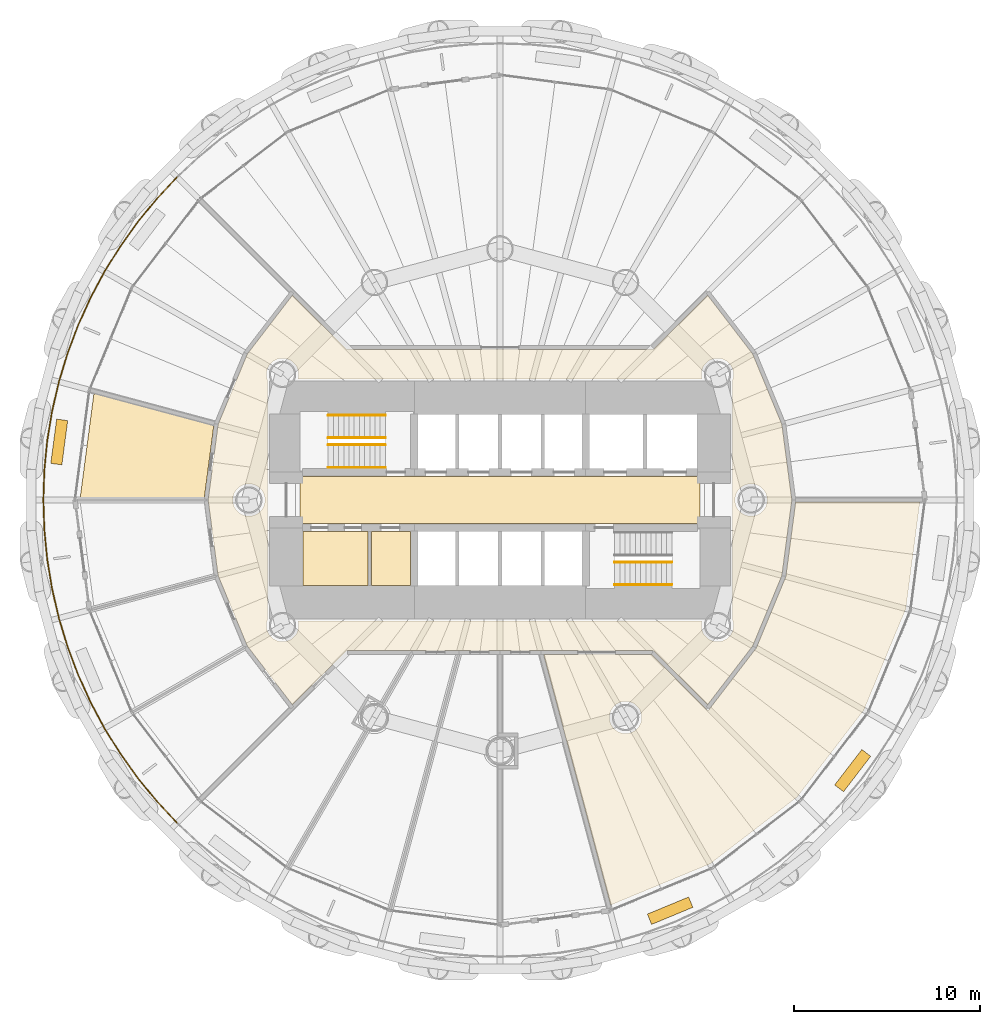
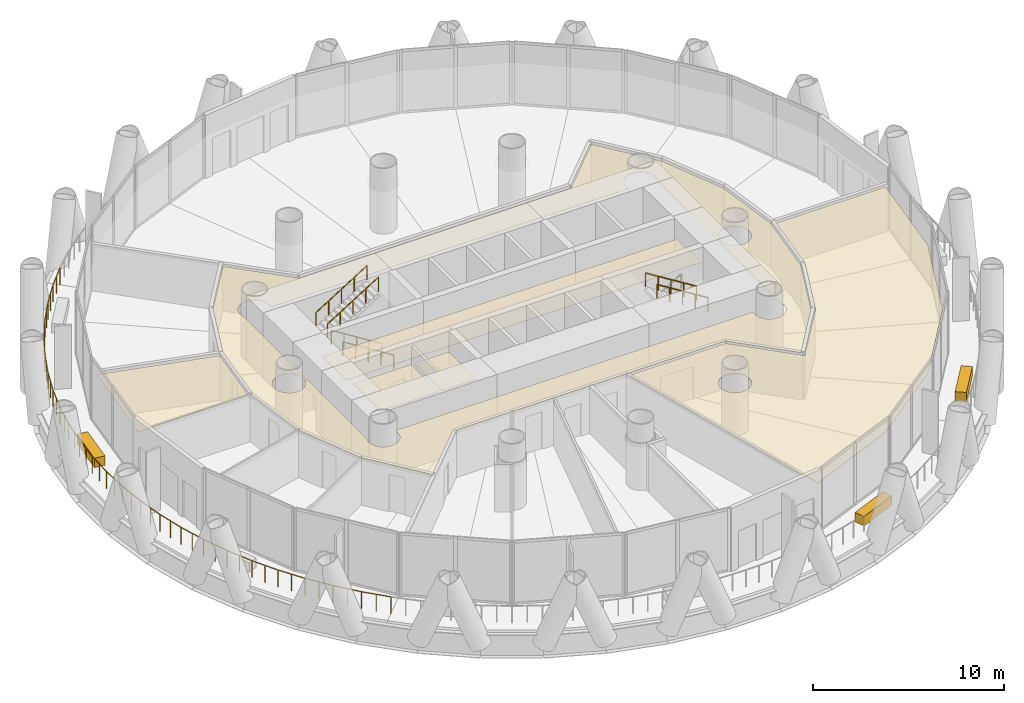
# One storey, part 14 of 16: 9 coverings, 7 railings.
"""IFC4 building model written with IfcOpenShell, lengths in metres."""

import ifcopenshell
import ifcopenshell.guid

model = None  # the IFC model being written
_history = None  # IfcOwnerHistory: only IFC2X3 demands one
_inside = {}  # id of a spatial element -> (the spatial element, [elements in it])
_under = {}  # id of a project, library or spatial element -> (it, [spatial elements below it])
_declared = {}  # id of a project -> (the project, [libraries it declares])
_typed = {}  # id of a type object -> (the type object, [elements of that type])
_made_of = {}  # id of a material, layer set ... -> (it, [elements and type objects made of it])


def new_model(schema):
    """Start an empty IFC model of exactly this schema.

    Asked for "IFC4X3", IfcOpenShell would pick the latest addendum, in which some entities
    have other attributes; the version numbers below select the first issue.
    IFC2X3 requires an IfcOwnerHistory on every rooted entity: one is made here for all.
    """
    global model, _history
    if schema == "IFC4X3":
        model = ifcopenshell.file(schema_version=(4, 3, 0, 0))
    else:
        model = ifcopenshell.file(schema=schema)
    _inside.clear()
    _under.clear()
    _declared.clear()
    _typed.clear()
    _made_of.clear()
    _history = None
    if model.schema == "IFC2X3":
        org = make("IfcOrganization", Name="unknown")
        user = make(
            "IfcPersonAndOrganization",
            ThePerson=make("IfcPerson", FamilyName="unknown"),
            TheOrganization=org,
        )
        app = make(
            "IfcApplication",
            ApplicationDeveloper=org,
            Version="unknown",
            ApplicationFullName="unknown",
            ApplicationIdentifier="unknown",
        )
        _history = make(
            "IfcOwnerHistory",
            OwningUser=user,
            OwningApplication=app,
            ChangeAction="ADDED",
            CreationDate=0,
        )
    return model


def make(cls, **values):
    """One entity of the class cls with the attributes given. An attribute that is None is left unset."""
    return model.create_entity(
        cls, **{name: value for name, value in values.items() if value is not None}
    )


def rooted(cls, **values):
    """An entity with a GlobalId (a new one), such as an element, a storey or a relation."""
    return make(cls, GlobalId=ifcopenshell.guid.new(), OwnerHistory=_history, **values)


def si_unit(unit_type, name, prefix=None):
    """IfcSIUnit, for example si_unit("LENGTHUNIT", "METRE", prefix="MILLI")."""
    return make("IfcSIUnit", UnitType=unit_type, Prefix=prefix, Name=name)


def assignment(units):
    """IfcUnitAssignment: the units of a project."""
    return None if units is None else make("IfcUnitAssignment", Units=units)


def point(xyz):
    """IfcCartesianPoint."""
    return None if xyz is None else make("IfcCartesianPoint", Coordinates=xyz)


def direction(xyz):
    """IfcDirection."""
    return None if xyz is None else make("IfcDirection", DirectionRatios=xyz)


def frame(location, z_axis=None, x_axis=None):
    """IfcAxis2Placement3D, a coordinate frame: its origin and axes. An axis left out is left unset."""
    return make(
        "IfcAxis2Placement3D",
        Location=point(location),
        Axis=direction(z_axis),
        RefDirection=direction(x_axis),
    )


def frame_2d(location, x_axis=None):
    """IfcAxis2Placement2D, a coordinate frame in the plane: its origin and x axis."""
    return make(
        "IfcAxis2Placement2D", Location=point(location), RefDirection=direction(x_axis)
    )


def origin():
    """The frame at (0, 0, 0) with its axes left unset."""
    return frame((0.0, 0.0, 0.0))


def origin_2d():
    """The frame at (0, 0) in the plane with its x axis left unset."""
    return frame_2d((0.0, 0.0))


def place(relative_to, where):
    """IfcLocalPlacement: puts the frame where relative to a parent placement (None: the world)."""
    return make(
        "IfcLocalPlacement", PlacementRelTo=relative_to, RelativePlacement=where
    )


def context(
    kind, dimensions, precision=None, world=None, true_north=None, identifier=None
):
    """IfcGeometricRepresentationContext, for example the 3D "Model" context."""
    return make(
        "IfcGeometricRepresentationContext",
        ContextIdentifier=identifier,
        ContextType=kind,
        CoordinateSpaceDimension=dimensions,
        Precision=precision,
        WorldCoordinateSystem=world,
        TrueNorth=true_north,
    )


def subcontext(parent, identifier, kind, view, scale=None):
    """IfcGeometricRepresentationSubContext, for example "Body" below "Model"."""
    return make(
        "IfcGeometricRepresentationSubContext",
        ContextIdentifier=identifier,
        ContextType=kind,
        ParentContext=parent,
        TargetScale=scale,
        TargetView=view,
    )


def project(units=None, contexts=None):
    """IfcProject with its units and contexts."""
    return rooted(
        "IfcProject",
        Name="project",
        RepresentationContexts=contexts,
        UnitsInContext=assignment(units),
    )


def spatial(cls, under=None, at=None, **own):
    """A site, building, storey or space (cls), placed at a placement, below another one or the project."""
    s = rooted(cls, ObjectPlacement=at, **own)
    if under is not None:
        _under.setdefault(under.id(), (under, []))[1].append(s)
    return s


def polyline(points):
    """IfcPolyline through the points."""
    return make("IfcPolyline", Points=[point(p) for p in points])


def profile(cls, at=None, kind="AREA", **sizes):
    """A parametric profile (cls). Its sizes go by their IFC names, for example OverallWidth=200.0."""
    return make(cls, ProfileType=kind, Position=at, **sizes)


def rectangle(**sizes):
    """IfcRectangleProfileDef."""
    return profile("IfcRectangleProfileDef", **sizes)


def circle(**sizes):
    """IfcCircleProfileDef."""
    return profile("IfcCircleProfileDef", **sizes)


def outline(outer, holes=None, kind="AREA"):
    """IfcArbitraryClosedProfileDef: a profile drawn as a closed curve; with holes, ...WithVoids."""
    if holes is None:
        return make("IfcArbitraryClosedProfileDef", ProfileType=kind, OuterCurve=outer)
    return make(
        "IfcArbitraryProfileDefWithVoids",
        ProfileType=kind,
        OuterCurve=outer,
        InnerCurves=holes,
    )


def extrude(swept, where, along, depth):
    """IfcExtrudedAreaSolid: the profile swept, set in the frame where, extruded along a direction by depth."""
    return make(
        "IfcExtrudedAreaSolid",
        SweptArea=swept,
        Position=where,
        ExtrudedDirection=direction(along),
        Depth=depth,
    )


def shape(context_of_items, identifier, shape_type, items):
    """IfcShapeRepresentation: the items that make up one representation, for example the "Body"."""
    return make(
        "IfcShapeRepresentation",
        ContextOfItems=context_of_items,
        RepresentationIdentifier=identifier,
        RepresentationType=shape_type,
        Items=items,
    )


def material(Name=None, Category=None):
    """IfcMaterial."""
    return make("IfcMaterial", Name=Name, Category=Category)


def layer(
    of_material, thickness, ventilated=None, Name=None, Category=None, Priority=None
):
    """IfcMaterialLayer: one layer of a wall or slab, of a material (None: an air gap)."""
    return make(
        "IfcMaterialLayer",
        Material=of_material,
        LayerThickness=thickness,
        IsVentilated=ventilated,
        Name=Name,
        Category=Category,
        Priority=Priority,
    )


def layer_set(layers, Name=None):
    """IfcMaterialLayerSet."""
    return make("IfcMaterialLayerSet", MaterialLayers=layers, LayerSetName=Name)


def made_of(thing, what):
    """Note that an element or type object is made of a material, layer set ...; save() writes the relation."""
    if what is not None:
        _made_of.setdefault(what.id(), (what, []))[1].append(thing)
    return thing


def type_object(cls, material=None, **own):
    """A type object (cls), such as IfcWallType, which elements share."""
    return made_of(rooted(cls, **own), material)


def element(
    cls,
    number,
    at=None,
    inside=None,
    cuts=None,
    type_object=None,
    material=None,
    context=None,
    identifier="Body",
    shape_type=None,
    held_by="IfcProductDefinitionShape",
    body=None,
    shapes=None,
    **own,
):
    """One element of the class cls, such as IfcWall. Its Tag is "e" and its number.

    at: its placement. inside: the storey or other place that contains it. cuts: it is an
    opening in that element (IfcRelVoidsElement). A single representation is given by context,
    identifier, shape_type and body (its items); several are given by shapes. held_by: the class
    of the entity that holds the representations. save() writes the other relations.
    """
    e = rooted(cls, Tag="e%d" % number, ObjectPlacement=at, **own)
    if body is not None:
        shapes = [shape(context, identifier, shape_type, body)]
    if shapes is not None:
        e.Representation = make(held_by, Representations=shapes)
    if inside is not None:
        _inside.setdefault(inside.id(), (inside, []))[1].append(e)
    if cuts is not None:
        rooted(
            "IfcRelVoidsElement", RelatingBuildingElement=cuts, RelatedOpeningElement=e
        )
    if type_object is not None:
        _typed.setdefault(type_object.id(), (type_object, []))[1].append(e)
    return made_of(e, material)


def aggregate(whole, parts):
    """IfcRelAggregates: a whole, such as a stair, and the parts it consists of."""
    return rooted("IfcRelAggregates", RelatingObject=whole, RelatedObjects=parts)


def save(model, path):
    """Write the relations noted so far, then the file.

    IfcRelAggregates (storeys below a building ...), IfcRelContainedInSpatialStructure (elements
    in a storey), IfcRelDefinesByType, IfcRelAssociatesMaterial and IfcRelDeclares: one each for
    every whole, place, type object, material and project.
    """
    for whole, parts in _under.values():
        aggregate(whole, parts)
    for where, things in _inside.values():
        rooted(
            "IfcRelContainedInSpatialStructure",
            RelatedElements=things,
            RelatingStructure=where,
        )
    for kind, things in _typed.values():
        rooted("IfcRelDefinesByType", RelatedObjects=things, RelatingType=kind)
    for what, things in _made_of.values():
        rooted("IfcRelAssociatesMaterial", RelatedObjects=things, RelatingMaterial=what)
    for by, libraries in _declared.values():
        rooted("IfcRelDeclares", RelatingContext=by, RelatedDefinitions=libraries)
    model.write(path)


model = new_model("IFC4")

# Units and contexts
model_context = context("Model", 3, precision=1e-05, world=origin(), true_north=direction((0.0, 1.0)))
body_context = subcontext(model_context, "Body", "Model", "MODEL_VIEW")
ifc_project = project(units=[si_unit("LENGTHUNIT", "METRE"), si_unit("AREAUNIT", "SQUARE_METRE"), si_unit("VOLUMEUNIT", "CUBIC_METRE"), si_unit("PLANEANGLEUNIT", "RADIAN"), si_unit("MASSUNIT", "GRAM", prefix="KILO")], contexts=[model_context])

# Site, building, storey
site_placement = place(None, origin())
site = spatial("IfcSite", under=ifc_project, at=site_placement, CompositionType="ELEMENT")
building_placement = place(site_placement, origin())
building = spatial("IfcBuilding", under=site, at=building_placement, Name="Qaws Media Tower", CompositionType="ELEMENT")
storey_placement = place(building_placement, frame((0.0, 0.0, 63.800048828125)))
storey = spatial("IfcBuildingStorey", under=building, at=storey_placement, Name="L13", CompositionType="ELEMENT", Elevation=63.800048828125)

# Covering
ifc_material_1 = material(Name="40 perforated acoustic panels with mineral wool backing, suspended", Category="mineral fibre")
ifc_layer_1 = layer(ifc_material_1, 0.0400390625)
ifc_layer_set_1 = layer_set([ifc_layer_1], Name="Acoustic panel ceiling 40")
covering_type_1 = type_object("IfcCoveringType", Name="Acoustic panel ceiling 40", PredefinedType="CEILING", material=ifc_layer_set_1)
covering_1_placement = place(storey_placement, frame((0.0, 0.0, 2.849853515625)))
element("IfcCovering", 1, at=covering_1_placement, inside=storey, type_object=covering_type_1, Name="CL3 ceiling L13-12 Newsroom", PredefinedType="CEILING", context=body_context, shape_type="SweptSolid", body=[
    extrude(outline(polyline([(81.815673828125, 44.154541015625), (79.559326171875, 38.70751953125), (75.97021484375, 34.02978515625), (71.29248046875, 30.440673828125), (65.9501953125, 28.227783203125), (62.34375, 41.6875), (68.1533203125, 41.6875), (71.183349609375, 38.657470703125), (73.781494140625, 42.043212890625), (75.37109375, 45.88134765625), (75.898681640625, 49.887451171875), (82.5703125, 49.887451171875), (81.815673828125, 44.154541015625)]), holes=[polyline([(67.5546875, 37.975341796875), (67.59130859375, 38.083251953125), (67.613525390625, 38.195068359375), (67.62109375, 38.30859375), (67.613525390625, 38.42236328125), (67.59130859375, 38.5341796875), (67.5546875, 38.64208984375), (67.50439453125, 38.744140625), (67.44091796875, 38.8388671875), (67.365966796875, 38.924560546875), (67.2802734375, 38.999755859375), (67.185546875, 39.06298828125), (67.083251953125, 39.11328125), (66.975341796875, 39.14990234375), (66.86376953125, 39.172119140625), (66.75, 39.1796875), (66.63623046875, 39.172119140625), (66.524658203125, 39.14990234375), (66.416748046875, 39.11328125), (66.314453125, 39.06298828125), (66.2197265625, 38.999755859375), (66.134033203125, 38.924560546875), (66.05908203125, 38.8388671875), (65.99560546875, 38.744140625), (65.9453125, 38.64208984375), (65.90869140625, 38.5341796875), (65.886474609375, 38.42236328125), (65.87890625, 38.30859375), (65.886474609375, 38.195068359375), (65.90869140625, 38.083251953125), (65.9453125, 37.975341796875), (65.99560546875, 37.873291015625), (66.05908203125, 37.7783203125), (66.134033203125, 37.69287109375), (66.2197265625, 37.61767578125), (66.314453125, 37.55419921875), (66.416748046875, 37.50390625), (66.524658203125, 37.46728515625), (66.63623046875, 37.445068359375), (66.75, 37.437744140625), (66.86376953125, 37.445068359375), (66.975341796875, 37.46728515625), (67.083251953125, 37.50390625), (67.185546875, 37.55419921875), (67.2802734375, 37.61767578125), (67.365966796875, 37.69287109375), (67.44091796875, 37.7783203125), (67.50439453125, 37.873291015625), (67.5546875, 37.975341796875)])]), origin(), (0.0, 0.0, 1.0), 0.0400390625),
])

# Railing
ifc_material_2 = material(Name="Stainless steel and glass guard", Category="steel")
railing_type_1 = type_object("IfcRailingType", Name="Balcony guard 1100", PredefinedType="GUARDRAIL", material=ifc_material_2)
railing_placement = place(storey_placement, frame((42.640625, 67.359375, 0.0)))
element("IfcRailing", 2, at=railing_placement, inside=storey, type_object=railing_type_1, Name="GR1 balcony guard L13-2", PredefinedType="GUARDRAIL", context=body_context, shape_type="SweptSolid", body=[
    extrude(circle(Radius=0.02392578125, at=origin_2d()), frame((0.0, 0.0, 1.076171875), z_axis=(-0.683708559442, -0.729755168358, 0.0), x_axis=(0.729755168358, -0.683708559442, 0.0)), (0.0, 0.0, 1.0), 1.6064453125),
    extrude(circle(Radius=0.02392578125, at=origin_2d()), frame((-1.098388671875, -1.17236328125, 1.076171875), z_axis=(-0.634321269282, -0.773069548835, 0.0), x_axis=(0.773069548835, -0.634321269282, 0.0)), (0.0, 0.0, 1.0), 1.6064453125),
    extrude(circle(Radius=0.02392578125, at=origin_2d()), frame((-2.117431640625, -2.414306640625, 1.076171875), z_axis=(-0.582473761618, -0.812849504538, 0.0), x_axis=(0.812849504538, -0.582473761618, 0.0)), (0.0, 0.0, 1.0), 1.606689453125),
    extrude(circle(Radius=0.02392578125, at=origin_2d()), frame((-3.05322265625, -3.72021484375, 1.076171875), z_axis=(-0.528085199, -0.849191393384, 0.0), x_axis=(0.849191393384, -0.528085199, 0.0)), (0.0, 0.0, 1.0), 1.6064453125),
    extrude(circle(Radius=0.02392578125, at=origin_2d()), frame((-3.901611328125, -5.08447265625, 1.076171875), z_axis=(-0.471424145356, -0.881906613636, 0.0), x_axis=(0.881906613636, -0.471424145356, 0.0)), (0.0, 0.0, 1.0), 1.6064453125),
    extrude(circle(Radius=0.02392578125, at=origin_2d()), frame((-4.658935546875, -6.501220703125, 1.076171875), z_axis=(-0.412600349797, -0.910912153474, 0.0), x_axis=(0.910912153474, -0.412600349797, 0.0)), (0.0, 0.0, 1.0), 1.6064453125),
    extrude(circle(Radius=0.02392578125, at=origin_2d()), frame((-5.32177734375, -7.964599609375, 1.076171875), z_axis=(-0.352289041388, -0.935891249728, 0.0), x_axis=(0.935891249728, -0.352289041388, 0.0)), (0.0, 0.0, 1.0), 1.6064453125),
    extrude(circle(Radius=0.02392578125, at=origin_2d()), frame((-5.8876953125, -9.468017578125, 1.076171875), z_axis=(-0.290260453496, -0.956947683594, 0.0), x_axis=(0.956947683594, -0.290260453496, 0.0)), (0.0, 0.0, 1.0), 1.6064453125),
    extrude(circle(Radius=0.02392578125, at=origin_2d()), frame((-6.35400390625, -11.00537109375, 1.076171875), z_axis=(-0.227200790134, -0.973847935236, 0.0), x_axis=(0.973847935236, -0.227200790134, 0.0)), (0.0, 0.0, 1.0), 1.6064453125),
    extrude(circle(Radius=0.02392578125, at=origin_2d()), frame((-6.718994140625, -12.56982421875, 1.076171875), z_axis=(-0.162895674781, -0.986643298836, 0.0), x_axis=(0.986643298836, -0.162895674781, 0.0)), (0.0, 0.0, 1.0), 1.606689453125),
    extrude(circle(Radius=0.02392578125, at=origin_2d()), frame((-6.980712890625, -14.155029296875, 1.076171875), z_axis=(-0.098028924866, -0.995183565926, 0.0), x_axis=(0.995183565926, -0.098028924866, 0.0)), (0.0, 0.0, 1.0), 1.6064453125),
    extrude(circle(Radius=0.02392578125, at=origin_2d()), frame((-7.13818359375, -15.753662109375, 1.076171875), z_axis=(-0.032672223792, -0.999466120383, 0.0), x_axis=(0.999466120383, -0.032672223792, 0.0)), (0.0, 0.0, 1.0), 1.606689453125),
    extrude(circle(Radius=0.02392578125, at=origin_2d()), frame((-7.190673828125, -17.359375, 1.076171875), z_axis=(0.032672223792, -0.999466120383, 0.0), x_axis=(0.999466120383, 0.032672223792, 0.0)), (0.0, 0.0, 1.0), 1.606689453125),
    extrude(circle(Radius=0.02392578125, at=origin_2d()), frame((-7.13818359375, -18.965087890625, 1.076171875), z_axis=(0.098028924866, -0.995183565926, 0.0), x_axis=(0.995183565926, 0.098028924866, 0.0)), (0.0, 0.0, 1.0), 1.6064453125),
    extrude(circle(Radius=0.02392578125, at=origin_2d()), frame((-6.980712890625, -20.563720703125, 1.076171875), z_axis=(0.162895674781, -0.986643298836, 0.0), x_axis=(0.986643298836, 0.162895674781, 0.0)), (0.0, 0.0, 1.0), 1.606689453125),
    extrude(circle(Radius=0.02392578125, at=origin_2d()), frame((-6.718994140625, -22.14892578125, 1.076171875), z_axis=(0.227200790134, -0.973847935236, 0.0), x_axis=(0.973847935236, 0.227200790134, 0.0)), (0.0, 0.0, 1.0), 1.6064453125),
    extrude(circle(Radius=0.02392578125, at=origin_2d()), frame((-6.35400390625, -23.71337890625, 1.076171875), z_axis=(0.290260453496, -0.956947683594, 0.0), x_axis=(0.956947683594, 0.290260453496, 0.0)), (0.0, 0.0, 1.0), 1.6064453125),
    extrude(circle(Radius=0.02392578125, at=origin_2d()), frame((-5.8876953125, -25.250732421875, 1.076171875), z_axis=(0.352289041388, -0.935891249728, 0.0), x_axis=(0.935891249728, 0.352289041388, 0.0)), (0.0, 0.0, 1.0), 1.6064453125),
    extrude(circle(Radius=0.02392578125, at=origin_2d()), frame((-5.32177734375, -26.754150390625, 1.076171875), z_axis=(0.412600349797, -0.910912153474, 0.0), x_axis=(0.910912153474, 0.412600349797, 0.0)), (0.0, 0.0, 1.0), 1.6064453125),
    extrude(circle(Radius=0.02392578125, at=origin_2d()), frame((-4.658935546875, -28.217529296875, 1.076171875), z_axis=(0.471424145356, -0.881906613636, 0.0), x_axis=(0.881906613636, 0.471424145356, 0.0)), (0.0, 0.0, 1.0), 1.6064453125),
    extrude(circle(Radius=0.02392578125, at=origin_2d()), frame((-3.901611328125, -29.63427734375, 1.076171875), z_axis=(0.528085199, -0.849191393384, 0.0), x_axis=(0.849191393384, 0.528085199, 0.0)), (0.0, 0.0, 1.0), 1.6064453125),
    extrude(circle(Radius=0.02392578125, at=origin_2d()), frame((-3.05322265625, -30.99853515625, 1.076171875), z_axis=(0.582473761618, -0.812849504538, 0.0), x_axis=(0.812849504538, 0.582473761618, 0.0)), (0.0, 0.0, 1.0), 1.606689453125),
    extrude(circle(Radius=0.02392578125, at=origin_2d()), frame((-2.117431640625, -32.304443359375, 1.076171875), z_axis=(0.634321269282, -0.773069548835, 0.0), x_axis=(0.773069548835, 0.634321269282, 0.0)), (0.0, 0.0, 1.0), 1.6064453125),
    extrude(circle(Radius=0.02392578125, at=origin_2d()), frame((-1.098388671875, -33.54638671875, 1.076171875), z_axis=(0.683708559442, -0.729755168358, 0.0), x_axis=(0.729755168358, 0.683708559442, 0.0)), (0.0, 0.0, 1.0), 1.6064453125),
    extrude(circle(Radius=0.02099609375, at=origin_2d()), origin(), (0.0, 0.0, 1.0), 1.052001953125),
    extrude(circle(Radius=0.02099609375, at=origin_2d()), frame((-0.54931640625, -0.586181640625, 0.0)), (0.0, 0.0, 1.0), 1.052001953125),
    extrude(circle(Radius=0.02099609375, at=origin_2d()), frame((-1.098388671875, -1.17236328125, 0.0)), (0.0, 0.0, 1.0), 1.052001953125),
    extrude(circle(Radius=0.02099609375, at=origin_2d()), frame((-1.60791015625, -1.79345703125, 0.0)), (0.0, 0.0, 1.0), 1.052001953125),
    extrude(circle(Radius=0.02099609375, at=origin_2d()), frame((-2.117431640625, -2.414306640625, 0.0)), (0.0, 0.0, 1.0), 1.052001953125),
    extrude(circle(Radius=0.02099609375, at=origin_2d()), frame((-2.58544921875, -3.0673828125, 0.0)), (0.0, 0.0, 1.0), 1.052001953125),
    extrude(circle(Radius=0.02099609375, at=origin_2d()), frame((-3.05322265625, -3.72021484375, 0.0)), (0.0, 0.0, 1.0), 1.052001953125),
    extrude(circle(Radius=0.02099609375, at=origin_2d()), frame((-3.4775390625, -4.40234375, 0.0)), (0.0, 0.0, 1.0), 1.052001953125),
    extrude(circle(Radius=0.02099609375, at=origin_2d()), frame((-3.901611328125, -5.08447265625, 0.0)), (0.0, 0.0, 1.0), 1.052001953125),
    extrude(circle(Radius=0.02099609375, at=origin_2d()), frame((-4.2802734375, -5.79296875, 0.0)), (0.0, 0.0, 1.0), 1.052001953125),
    extrude(circle(Radius=0.02099609375, at=origin_2d()), frame((-4.658935546875, -6.501220703125, 0.0)), (0.0, 0.0, 1.0), 1.052001953125),
    extrude(circle(Radius=0.02099609375, at=origin_2d()), frame((-4.990234375, -7.23291015625, 0.0)), (0.0, 0.0, 1.0), 1.052001953125),
    extrude(circle(Radius=0.02099609375, at=origin_2d()), frame((-5.32177734375, -7.964599609375, 0.0)), (0.0, 0.0, 1.0), 1.052001953125),
    extrude(circle(Radius=0.02099609375, at=origin_2d()), frame((-5.604736328125, -8.71630859375, 0.0)), (0.0, 0.0, 1.0), 1.052001953125),
    extrude(circle(Radius=0.02099609375, at=origin_2d()), frame((-5.8876953125, -9.468017578125, 0.0)), (0.0, 0.0, 1.0), 1.052001953125),
    extrude(circle(Radius=0.02099609375, at=origin_2d()), frame((-6.120849609375, -10.23681640625, 0.0)), (0.0, 0.0, 1.0), 1.052001953125),
    extrude(circle(Radius=0.02099609375, at=origin_2d()), frame((-6.35400390625, -11.00537109375, 0.0)), (0.0, 0.0, 1.0), 1.052001953125),
    extrude(circle(Radius=0.02099609375, at=origin_2d()), frame((-6.53662109375, -11.78759765625, 0.0)), (0.0, 0.0, 1.0), 1.052001953125),
    extrude(circle(Radius=0.02099609375, at=origin_2d()), frame((-6.718994140625, -12.56982421875, 0.0)), (0.0, 0.0, 1.0), 1.052001953125),
    extrude(circle(Radius=0.02099609375, at=origin_2d()), frame((-6.849853515625, -13.3623046875, 0.0)), (0.0, 0.0, 1.0), 1.052001953125),
    extrude(circle(Radius=0.02099609375, at=origin_2d()), frame((-6.980712890625, -14.155029296875, 0.0)), (0.0, 0.0, 1.0), 1.052001953125),
    extrude(circle(Radius=0.02099609375, at=origin_2d()), frame((-7.0595703125, -14.954345703125, 0.0)), (0.0, 0.0, 1.0), 1.052001953125),
    extrude(circle(Radius=0.02099609375, at=origin_2d()), frame((-7.13818359375, -15.753662109375, 0.0)), (0.0, 0.0, 1.0), 1.052001953125),
    extrude(circle(Radius=0.02099609375, at=origin_2d()), frame((-7.16455078125, -16.556640625, 0.0)), (0.0, 0.0, 1.0), 1.052001953125),
    extrude(circle(Radius=0.02099609375, at=origin_2d()), frame((-7.190673828125, -17.359375, 0.0)), (0.0, 0.0, 1.0), 1.052001953125),
    extrude(circle(Radius=0.02099609375, at=origin_2d()), frame((-7.16455078125, -18.162109375, 0.0)), (0.0, 0.0, 1.0), 1.052001953125),
    extrude(circle(Radius=0.02099609375, at=origin_2d()), frame((-7.13818359375, -18.965087890625, 0.0)), (0.0, 0.0, 1.0), 1.052001953125),
    extrude(circle(Radius=0.02099609375, at=origin_2d()), frame((-7.0595703125, -19.764404296875, 0.0)), (0.0, 0.0, 1.0), 1.052001953125),
    extrude(circle(Radius=0.02099609375, at=origin_2d()), frame((-6.980712890625, -20.563720703125, 0.0)), (0.0, 0.0, 1.0), 1.052001953125),
    extrude(circle(Radius=0.02099609375, at=origin_2d()), frame((-6.849853515625, -21.3564453125, 0.0)), (0.0, 0.0, 1.0), 1.052001953125),
    extrude(circle(Radius=0.02099609375, at=origin_2d()), frame((-6.718994140625, -22.14892578125, 0.0)), (0.0, 0.0, 1.0), 1.052001953125),
    extrude(circle(Radius=0.02099609375, at=origin_2d()), frame((-6.53662109375, -22.93115234375, 0.0)), (0.0, 0.0, 1.0), 1.052001953125),
    extrude(circle(Radius=0.02099609375, at=origin_2d()), frame((-6.35400390625, -23.71337890625, 0.0)), (0.0, 0.0, 1.0), 1.052001953125),
    extrude(circle(Radius=0.02099609375, at=origin_2d()), frame((-6.120849609375, -24.48193359375, 0.0)), (0.0, 0.0, 1.0), 1.052001953125),
    extrude(circle(Radius=0.02099609375, at=origin_2d()), frame((-5.8876953125, -25.250732421875, 0.0)), (0.0, 0.0, 1.0), 1.052001953125),
    extrude(circle(Radius=0.02099609375, at=origin_2d()), frame((-5.604736328125, -26.00244140625, 0.0)), (0.0, 0.0, 1.0), 1.052001953125),
    extrude(circle(Radius=0.02099609375, at=origin_2d()), frame((-5.32177734375, -26.754150390625, 0.0)), (0.0, 0.0, 1.0), 1.052001953125),
    extrude(circle(Radius=0.02099609375, at=origin_2d()), frame((-4.990234375, -27.48583984375, 0.0)), (0.0, 0.0, 1.0), 1.052001953125),
    extrude(circle(Radius=0.02099609375, at=origin_2d()), frame((-4.658935546875, -28.217529296875, 0.0)), (0.0, 0.0, 1.0), 1.052001953125),
    extrude(circle(Radius=0.02099609375, at=origin_2d()), frame((-4.2802734375, -28.92578125, 0.0)), (0.0, 0.0, 1.0), 1.052001953125),
    extrude(circle(Radius=0.02099609375, at=origin_2d()), frame((-3.901611328125, -29.63427734375, 0.0)), (0.0, 0.0, 1.0), 1.052001953125),
    extrude(circle(Radius=0.02099609375, at=origin_2d()), frame((-3.4775390625, -30.31640625, 0.0)), (0.0, 0.0, 1.0), 1.052001953125),
    extrude(circle(Radius=0.02099609375, at=origin_2d()), frame((-3.05322265625, -30.99853515625, 0.0)), (0.0, 0.0, 1.0), 1.052001953125),
    extrude(circle(Radius=0.02099609375, at=origin_2d()), frame((-2.58544921875, -31.6513671875, 0.0)), (0.0, 0.0, 1.0), 1.052001953125),
    extrude(circle(Radius=0.02099609375, at=origin_2d()), frame((-2.117431640625, -32.304443359375, 0.0)), (0.0, 0.0, 1.0), 1.052001953125),
    extrude(circle(Radius=0.02099609375, at=origin_2d()), frame((-1.60791015625, -32.92529296875, 0.0)), (0.0, 0.0, 1.0), 1.052001953125),
    extrude(circle(Radius=0.02099609375, at=origin_2d()), frame((-1.098388671875, -33.54638671875, 0.0)), (0.0, 0.0, 1.0), 1.052001953125),
    extrude(circle(Radius=0.02099609375, at=origin_2d()), frame((-0.54931640625, -34.132568359375, 0.0)), (0.0, 0.0, 1.0), 1.052001953125),
    extrude(circle(Radius=0.02099609375, at=origin_2d()), frame((0.0, -34.71875, 0.0)), (0.0, 0.0, 1.0), 1.052001953125),
])

# Coverings
ifc_material_3 = material(Name="600 x 600 mineral fibre tiles in exposed grid, suspended", Category="mineral fibre")
ifc_layer_2 = layer(ifc_material_3, 0.02001953125)
ifc_layer_set_2 = layer_set([ifc_layer_2], Name="Mineral fibre tile ceiling 20")
covering_type_2 = type_object("IfcCoveringType", Name="Mineral fibre tile ceiling 20", PredefinedType="CEILING", material=ifc_layer_set_2)
covering_2_placement = place(storey_placement, frame((0.0, 0.0, 2.849853515625)))
element("IfcCovering", 3, at=covering_2_placement, inside=storey, type_object=covering_type_2, Name="CL1 ceiling L13-01 Corridor", PredefinedType="CEILING", context=body_context, shape_type="SweptSolid", body=[
    extrude(outline(polyline([(44.847900390625, 45.93994140625), (44.3134765625, 50.0), (44.847900390625, 54.06005859375), (46.4150390625, 57.84326171875), (48.8388671875, 61.001953125), (51.75341796875, 58.08740234375), (68.24658203125, 58.08740234375), (71.1611328125, 61.001953125), (73.5849609375, 57.84326171875), (75.152099609375, 54.06005859375), (75.6865234375, 50.0), (75.152099609375, 45.93994140625), (73.5849609375, 42.15673828125), (71.1611328125, 38.998046875), (68.24658203125, 41.91259765625), (51.75341796875, 41.91259765625), (48.8388671875, 38.998046875), (46.4150390625, 42.15673828125), (44.847900390625, 45.93994140625)]), holes=[polyline([(49.14599609375, 56.512451171875), (49.14990234375, 56.524658203125), (49.172119140625, 56.63623046875), (49.1796875, 56.75), (49.172119140625, 56.86376953125), (49.14990234375, 56.975341796875), (49.11328125, 57.083251953125), (49.06298828125, 57.185546875), (48.999755859375, 57.2802734375), (48.924560546875, 57.365966796875), (48.8388671875, 57.44091796875), (48.744140625, 57.50439453125), (48.64208984375, 57.5546875), (48.5341796875, 57.59130859375), (48.42236328125, 57.613525390625), (48.30859375, 57.62109375), (48.195068359375, 57.613525390625), (48.083251953125, 57.59130859375), (47.975341796875, 57.5546875), (47.873291015625, 57.50439453125), (47.7783203125, 57.44091796875), (47.69287109375, 57.365966796875), (47.61767578125, 57.2802734375), (47.55419921875, 57.185546875), (47.50390625, 57.083251953125), (47.46728515625, 56.975341796875), (47.445068359375, 56.86376953125), (47.437744140625, 56.75), (47.445068359375, 56.63623046875), (47.46728515625, 56.524658203125), (47.487548828125, 56.465087890625), (47.487548828125, 43.534912109375), (47.46728515625, 43.475341796875), (47.445068359375, 43.36376953125), (47.437744140625, 43.25), (47.445068359375, 43.13623046875), (47.46728515625, 43.024658203125), (47.50390625, 42.916748046875), (47.55419921875, 42.814453125), (47.61767578125, 42.7197265625), (47.69287109375, 42.634033203125), (47.7783203125, 42.55908203125), (47.873291015625, 42.49560546875), (47.975341796875, 42.4453125), (48.083251953125, 42.40869140625), (48.195068359375, 42.386474609375), (48.30859375, 42.37890625), (48.42236328125, 42.386474609375), (48.5341796875, 42.40869140625), (48.64208984375, 42.4453125), (48.744140625, 42.49560546875), (48.8388671875, 42.55908203125), (48.924560546875, 42.634033203125), (48.999755859375, 42.7197265625), (49.06298828125, 42.814453125), (49.11328125, 42.916748046875), (49.14990234375, 43.024658203125), (49.172119140625, 43.13623046875), (49.1796875, 43.25), (49.172119140625, 43.36376953125), (49.14990234375, 43.475341796875), (49.14599609375, 43.487548828125), (70.85400390625, 43.487548828125), (70.85009765625, 43.475341796875), (70.827880859375, 43.36376953125), (70.8203125, 43.25), (70.827880859375, 43.13623046875), (70.85009765625, 43.024658203125), (70.88671875, 42.916748046875), (70.93701171875, 42.814453125), (71.000244140625, 42.7197265625), (71.075439453125, 42.634033203125), (71.1611328125, 42.55908203125), (71.255859375, 42.49560546875), (71.35791015625, 42.4453125), (71.4658203125, 42.40869140625), (71.57763671875, 42.386474609375), (71.69140625, 42.37890625), (71.804931640625, 42.386474609375), (71.916748046875, 42.40869140625), (72.024658203125, 42.4453125), (72.126708984375, 42.49560546875), (72.2216796875, 42.55908203125), (72.30712890625, 42.634033203125), (72.38232421875, 42.7197265625), (72.44580078125, 42.814453125), (72.49609375, 42.916748046875), (72.53271484375, 43.024658203125), (72.554931640625, 43.13623046875), (72.562255859375, 43.25), (72.554931640625, 43.36376953125), (72.53271484375, 43.475341796875), (72.512451171875, 43.534912109375), (72.512451171875, 56.465087890625), (72.53271484375, 56.524658203125), (72.554931640625, 56.63623046875), (72.562255859375, 56.75), (72.554931640625, 56.86376953125), (72.53271484375, 56.975341796875), (72.49609375, 57.083251953125), (72.44580078125, 57.185546875), (72.38232421875, 57.2802734375), (72.30712890625, 57.365966796875), (72.2216796875, 57.44091796875), (72.126708984375, 57.50439453125), (72.024658203125, 57.5546875), (71.916748046875, 57.59130859375), (71.804931640625, 57.613525390625), (71.69140625, 57.62109375), (71.57763671875, 57.613525390625), (71.4658203125, 57.59130859375), (71.35791015625, 57.5546875), (71.255859375, 57.50439453125), (71.1611328125, 57.44091796875), (71.075439453125, 57.365966796875), (71.000244140625, 57.2802734375), (70.93701171875, 57.185546875), (70.88671875, 57.083251953125), (70.85009765625, 56.975341796875), (70.827880859375, 56.86376953125), (70.8203125, 56.75), (70.827880859375, 56.63623046875), (70.85009765625, 56.524658203125), (70.85400390625, 56.512451171875), (49.14599609375, 56.512451171875)]), polyline([(47.3046875, 49.666748046875), (47.34130859375, 49.774658203125), (47.363525390625, 49.88623046875), (47.37109375, 50.0), (47.363525390625, 50.11376953125), (47.34130859375, 50.225341796875), (47.3046875, 50.333251953125), (47.25439453125, 50.435546875), (47.19091796875, 50.5302734375), (47.115966796875, 50.615966796875), (47.0302734375, 50.69091796875), (46.935546875, 50.75439453125), (46.833251953125, 50.8046875), (46.725341796875, 50.84130859375), (46.61376953125, 50.863525390625), (46.5, 50.87109375), (46.38623046875, 50.863525390625), (46.274658203125, 50.84130859375), (46.166748046875, 50.8046875), (46.064453125, 50.75439453125), (45.9697265625, 50.69091796875), (45.884033203125, 50.615966796875), (45.80908203125, 50.5302734375), (45.74560546875, 50.435546875), (45.6953125, 50.333251953125), (45.65869140625, 50.225341796875), (45.636474609375, 50.11376953125), (45.62890625, 50.0), (45.636474609375, 49.88623046875), (45.65869140625, 49.774658203125), (45.6953125, 49.666748046875), (45.74560546875, 49.564453125), (45.80908203125, 49.4697265625), (45.884033203125, 49.384033203125), (45.9697265625, 49.30908203125), (46.064453125, 49.24560546875), (46.166748046875, 49.1953125), (46.274658203125, 49.15869140625), (46.38623046875, 49.136474609375), (46.5, 49.12890625), (46.61376953125, 49.136474609375), (46.725341796875, 49.15869140625), (46.833251953125, 49.1953125), (46.935546875, 49.24560546875), (47.0302734375, 49.30908203125), (47.115966796875, 49.384033203125), (47.19091796875, 49.4697265625), (47.25439453125, 49.564453125), (47.3046875, 49.666748046875)]), polyline([(74.34130859375, 49.774658203125), (74.363525390625, 49.88623046875), (74.37109375, 50.0), (74.363525390625, 50.11376953125), (74.34130859375, 50.225341796875), (74.3046875, 50.333251953125), (74.25439453125, 50.435546875), (74.19091796875, 50.5302734375), (74.115966796875, 50.615966796875), (74.0302734375, 50.69091796875), (73.935546875, 50.75439453125), (73.833251953125, 50.8046875), (73.725341796875, 50.84130859375), (73.61376953125, 50.863525390625), (73.5, 50.87109375), (73.38623046875, 50.863525390625), (73.274658203125, 50.84130859375), (73.166748046875, 50.8046875), (73.064453125, 50.75439453125), (72.9697265625, 50.69091796875), (72.884033203125, 50.615966796875), (72.80908203125, 50.5302734375), (72.74560546875, 50.435546875), (72.6953125, 50.333251953125), (72.65869140625, 50.225341796875), (72.636474609375, 50.11376953125), (72.62890625, 50.0), (72.636474609375, 49.88623046875), (72.65869140625, 49.774658203125), (72.6953125, 49.666748046875), (72.74560546875, 49.564453125), (72.80908203125, 49.4697265625), (72.884033203125, 49.384033203125), (72.9697265625, 49.30908203125), (73.064453125, 49.24560546875), (73.166748046875, 49.1953125), (73.274658203125, 49.15869140625), (73.38623046875, 49.136474609375), (73.5, 49.12890625), (73.61376953125, 49.136474609375), (73.725341796875, 49.15869140625), (73.833251953125, 49.1953125), (73.935546875, 49.24560546875), (74.0302734375, 49.30908203125), (74.115966796875, 49.384033203125), (74.19091796875, 49.4697265625), (74.25439453125, 49.564453125), (74.3046875, 49.666748046875), (74.34130859375, 49.774658203125)])]), origin(), (0.0, 0.0, 1.0), 0.02001953125),
])
covering_3_placement = place(storey_placement, frame((0.0, 0.0, 2.849853515625)))
element("IfcCovering", 4, at=covering_3_placement, inside=storey, type_object=covering_type_2, Name="CL1 ceiling L13-C04 Mothers' room", PredefinedType="CEILING", context=body_context, shape_type="SweptSolid", body=[
    extrude(outline(polyline([(49.39990234375, 45.39990234375), (49.39990234375, 48.300048828125), (52.89990234375, 48.300048828125), (52.89990234375, 45.39990234375), (49.39990234375, 45.39990234375)])), origin(), (0.0, 0.0, 1.0), 0.02001953125),
])
ifc_material_4 = material(Name="Precast concrete planter with trailing planting", Category="concrete")
ifc_layer_3 = layer(ifc_material_4, 0.60009765625)
ifc_layer_set_3 = layer_set([ifc_layer_3], Name="Planter 2400x600")
covering_type_3 = type_object("IfcCoveringType", Name="Planter 2400x600", PredefinedType="USERDEFINED", material=ifc_layer_set_3)
for number, where, z_axis, x_axis, name in (
    (5, (36.304443359375, 53.11962890625, 0.0), (0.0, 0.0, 1.0), (-0.13052619222, -0.991444861374, 0.0), "PL1 balcony planter L13-06"),
    (6, (69.146240234375, 27.919189453125, 0.0), (0.0, 0.0, 1.0), (0.923879532511, 0.382683432365, 0.0), "PL1 balcony planter L13-10"),
    (7, (78.961181640625, 35.45068359375, 0.0), (0.0, 0.0, 1.0), (0.608761429009, 0.793353340291, 0.0), "PL1 balcony planter L13-11"),
):
    element("IfcCovering", number, at=place(storey_placement, frame(where, z_axis=z_axis, x_axis=x_axis)), inside=storey, type_object=covering_type_3, Name=name, ObjectType="PLANTER", PredefinedType="USERDEFINED", context=body_context, shape_type="SweptSolid", body=[
        extrude(rectangle(XDim=2.39990234375, YDim=0.60009765625, at=origin_2d()), origin(), (0.0, 0.0, 1.0), 0.60009765625),
    ])
ifc_material_5 = material(Name="Two layers 12.5 moisture-resistant plasterboard on suspended metal furring", Category="gypsum")
ifc_layer_4 = layer(ifc_material_5, 0.02490234375)
ifc_layer_set_4 = layer_set([ifc_layer_4], Name="Plasterboard ceiling 25")
covering_type_4 = type_object("IfcCoveringType", Name="Plasterboard ceiling 25", PredefinedType="CEILING", material=ifc_layer_set_4)
covering_4_placement = place(storey_placement, frame((0.0, 0.0, 2.849853515625)))
element("IfcCovering", 8, at=covering_4_placement, inside=storey, type_object=covering_type_4, Name="CL2 ceiling L13-C01 Lift lobby", PredefinedType="CEILING", context=body_context, shape_type="SweptSolid", body=[
    extrude(outline(polyline([(49.25, 48.75), (49.25, 51.25), (70.75, 51.25), (70.75, 48.75), (49.25, 48.75)])), origin(), (0.0, 0.0, 1.0), 0.025146484375),
])
covering_5_placement = place(storey_placement, frame((0.0, 0.0, 2.849853515625)))
element("IfcCovering", 9, at=covering_5_placement, inside=storey, type_object=covering_type_4, Name="CL2 ceiling L13-04 Editor's office", PredefinedType="CEILING", context=body_context, shape_type="SweptSolid", body=[
    extrude(outline(polyline([(38.16943359375, 55.73291015625), (44.614013671875, 54.006103515625), (44.101318359375, 50.112548828125), (37.4296875, 50.112548828125), (38.16943359375, 55.73291015625)])), origin(), (0.0, 0.0, 1.0), 0.025146484375),
])
covering_6_placement = place(storey_placement, frame((0.0, 0.0, 2.849853515625)))
element("IfcCovering", 10, at=covering_6_placement, inside=storey, type_object=covering_type_4, Name="CL2 ceiling L13-C05 Accessible WC", PredefinedType="CEILING", context=body_context, shape_type="SweptSolid", body=[
    extrude(outline(polyline([(53.10009765625, 45.39990234375), (53.10009765625, 48.300048828125), (55.199951171875, 48.300048828125), (55.199951171875, 45.39990234375), (53.10009765625, 45.39990234375)])), origin(), (0.0, 0.0, 1.0), 0.025146484375),
])

# Railings
ifc_material_6 = material(Name="Steel tube handrail", Category="steel")
railing_type_2 = type_object("IfcRailingType", Name="Stair handrail 900", PredefinedType="HANDRAIL", material=ifc_material_6)
for number, where, name in (
    (11, (53.840087890625, 51.75, 0.175048828125), "HR1 handrail S1 flight 1 L13"),
    (12, (53.840087890625, 52.9599609375, 0.175048828125), "HR1 handrail S1 flight 1 L13"),
):
    element("IfcRailing", number, at=place(storey_placement, frame(where)), inside=storey, type_object=railing_type_2, Name=name, PredefinedType="HANDRAIL", context=body_context, shape_type="SweptSolid", body=[
        extrude(circle(Radius=0.02392578125, at=origin_2d()), frame((0.0, 0.0, 0.8759765625), z_axis=(-0.848028513186, 0.0, 0.529950602248), x_axis=(0.0, -1.0, 0.0)), (0.0, 0.0, 1.0), 3.632080078125),
        extrude(circle(Radius=0.02099609375, at=origin_2d()), origin(), (0.0, 0.0, 1.0), 0.851806640625),
        extrude(circle(Radius=0.02099609375, at=origin_2d()), frame((-0.77001953125, 0.0, 0.481201171875)), (0.0, 0.0, 1.0), 0.851806640625),
        extrude(circle(Radius=0.02099609375, at=origin_2d()), frame((-1.5400390625, 0.0, 0.96240234375)), (0.0, 0.0, 1.0), 0.851806640625),
        extrude(circle(Radius=0.02099609375, at=origin_2d()), frame((-2.31005859375, 0.0, 1.443603515625)), (0.0, 0.0, 1.0), 0.851806640625),
        extrude(circle(Radius=0.02099609375, at=origin_2d()), frame((-3.080078125, 0.0, 1.9248046875)), (0.0, 0.0, 1.0), 0.851806640625),
    ])
for number, where, name in (
    (13, (50.760009765625, 54.550048828125, 2.27490234375), "HR1 handrail S1 flight 2 L13"),
    (14, (50.760009765625, 53.340087890625, 2.27490234375), "HR1 handrail S1 flight 2 L13"),
):
    element("IfcRailing", number, at=place(storey_placement, frame(where)), inside=storey, type_object=railing_type_2, Name=name, PredefinedType="HANDRAIL", context=body_context, shape_type="SweptSolid", body=[
        extrude(circle(Radius=0.02392578125, at=origin_2d()), frame((0.0, 0.0, 0.8759765625), z_axis=(0.847998304005, 0.0, 0.529998940003), x_axis=(0.0, 1.0, 0.0)), (0.0, 0.0, 1.0), 3.632080078125),
        extrude(circle(Radius=0.02099609375, at=origin_2d()), origin(), (0.0, 0.0, 1.0), 0.851806640625),
        extrude(circle(Radius=0.02099609375, at=origin_2d()), frame((0.77001953125, 0.0, 0.481201171875)), (0.0, 0.0, 1.0), 0.851806640625),
        extrude(circle(Radius=0.02099609375, at=origin_2d()), frame((1.5400390625, 0.0, 0.96240234375)), (0.0, 0.0, 1.0), 0.851806640625),
        extrude(circle(Radius=0.02099609375, at=origin_2d()), frame((2.31005859375, 0.0, 1.44384765625)), (0.0, 0.0, 1.0), 0.851806640625),
        extrude(circle(Radius=0.02099609375, at=origin_2d()), frame((3.080078125, 0.0, 1.925048828125)), (0.0, 0.0, 1.0), 0.851806640625),
    ])
for number, where, name in (
    (15, (69.239990234375, 45.449951171875, 2.27490234375), "HR1 handrail S2 flight 2 L13"),
    (16, (69.239990234375, 46.659912109375, 2.27490234375), "HR1 handrail S2 flight 2 L13"),
):
    element("IfcRailing", number, at=place(storey_placement, frame(where)), inside=storey, type_object=railing_type_2, Name=name, PredefinedType="HANDRAIL", context=body_context, shape_type="SweptSolid", body=[
        extrude(circle(Radius=0.02392578125, at=origin_2d()), frame((0.0, 0.0, 0.8759765625), z_axis=(-0.847998304005, 0.0, 0.529998940003), x_axis=(0.0, -1.0, 0.0)), (0.0, 0.0, 1.0), 3.632080078125),
        extrude(circle(Radius=0.02099609375, at=origin_2d()), origin(), (0.0, 0.0, 1.0), 0.851806640625),
        extrude(circle(Radius=0.02099609375, at=origin_2d()), frame((-0.77001953125, 0.0, 0.481201171875)), (0.0, 0.0, 1.0), 0.851806640625),
        extrude(circle(Radius=0.02099609375, at=origin_2d()), frame((-1.5400390625, 0.0, 0.96240234375)), (0.0, 0.0, 1.0), 0.851806640625),
        extrude(circle(Radius=0.02099609375, at=origin_2d()), frame((-2.31005859375, 0.0, 1.44384765625)), (0.0, 0.0, 1.0), 0.851806640625),
        extrude(circle(Radius=0.02099609375, at=origin_2d()), frame((-3.080078125, 0.0, 1.925048828125)), (0.0, 0.0, 1.0), 0.851806640625),
    ])

save(model, "model.ifc")
